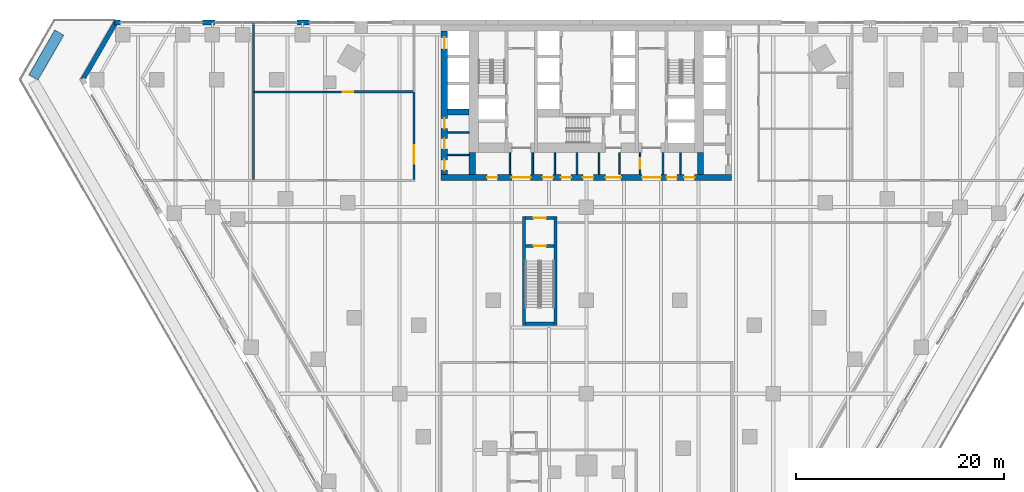
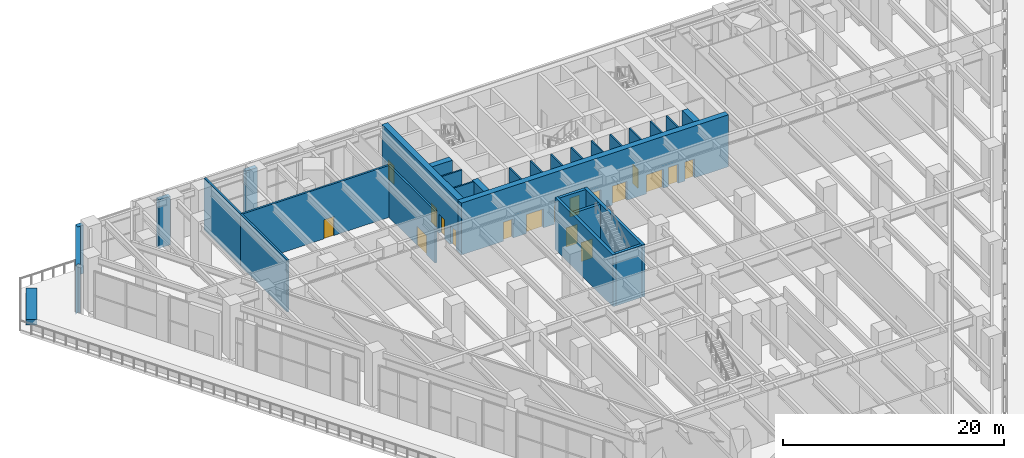
# One storey, part 31 of 40: 30 walls, 18 doors, 18 openings.
"""IFC4 building model written with IfcOpenShell, lengths in metres."""

from ifc_helpers import new_model, si_unit, direction, frame, frame_2d, origin, place, context, subcontext, project, spatial, polyline, rectangle, outline, extrude, material, layer, layer_set, type_object, element, fill, save


model = new_model("IFC4")

# Units and contexts
model_context = context("Model", 3, precision=1e-05, world=origin(), true_north=direction((0.0, 1.0)))
body_context = subcontext(model_context, "Body", "Model", "MODEL_VIEW")
ifc_project = project(units=[si_unit("LENGTHUNIT", "METRE"), si_unit("AREAUNIT", "SQUARE_METRE"), si_unit("VOLUMEUNIT", "CUBIC_METRE"), si_unit("PLANEANGLEUNIT", "RADIAN"), si_unit("MASSUNIT", "GRAM", prefix="KILO")], contexts=[model_context])

# Site, building, storey
site_placement = place(None, origin())
site = spatial("IfcSite", under=ifc_project, at=site_placement, CompositionType="ELEMENT")
building_placement = place(site_placement, origin())
building = spatial("IfcBuilding", under=site, at=building_placement, Name="Aloe Facet Convention Tower", CompositionType="ELEMENT")
storey_placement = place(building_placement, frame((0.0, 0.0, 13.5)))
storey = spatial("IfcBuildingStorey", under=building, at=storey_placement, Name="L02", CompositionType="ELEMENT", Elevation=13.5)

# Walls
ifc_material_1 = material(Name="Concrete blockwork partition", Category="masonry")
ifc_layer_1 = layer(ifc_material_1, 0.14990234375)
ifc_layer_set_1 = layer_set([ifc_layer_1], Name="CR-W-PART150")
wall_type_1 = type_object("IfcWallType", Name="CR-W-PART150", PredefinedType="PARTITIONING", material=ifc_layer_set_1)
for number, where, z_axis, x_axis, name in (
    (1, (66.60009765625, 124.16455078125, 0.0), (0.0, 0.0, 1.0), (1.0, 0.0, 0.0), "Core partition L02-007"),
    (2, (66.60009765625, 122.02490234375, 0.0), (0.0, 0.0, 1.0), (1.0, 0.0, 0.0), "Core partition L02-008"),
):
    element("IfcWall", number, at=place(storey_placement, frame(where, z_axis=z_axis, x_axis=x_axis)), inside=storey, type_object=wall_type_1, Name=name, PredefinedType="PARTITIONING", context=body_context, shape_type="SweptSolid", body=[
        extrude(rectangle(XDim=2.099853515625, YDim=0.14990234375, at=frame_2d((1.0498046875, 0.0))), origin(), (0.0, 0.0, 1.0), 5.75),
    ])
for number, where, z_axis, x_axis, name in (
    (3, (72.625, 122.25, 0.0), (0.0, 0.0, 1.0), (0.0, -1.0, 0.0), "Core partition L02-017"),
    (4, (74.824951171875, 122.25, 0.0), (0.0, 0.0, 1.0), (0.0, -1.0, 0.0), "Core partition L02-018"),
    (5, (76.958251953125, 122.25, 0.0), (0.0, 0.0, 1.0), (0.0, -1.0, 0.0), "Core partition L02-024"),
    (6, (79.091552734375, 122.25, 0.0), (0.0, 0.0, 1.0), (0.0, -1.0, 0.0), "Core partition L02-027"),
    (7, (81.22509765625, 122.25, 0.0), (0.0, 0.0, 1.0), (0.0, -1.0, 0.0), "Core partition L02-028"),
    (8, (83.175048828125, 122.25, 0.0), (0.0, 0.0, 1.0), (0.0, -1.0, 0.0), "Core partition L02-035"),
):
    element("IfcWall", number, at=place(storey_placement, frame(where, z_axis=z_axis, x_axis=x_axis)), inside=storey, type_object=wall_type_1, Name=name, PredefinedType="PARTITIONING", context=body_context, shape_type="SweptSolid", body=[
        extrude(rectangle(XDim=2.10009765625, YDim=0.14990234375, at=frame_2d((1.050048828125, 0.0))), origin(), (0.0, 0.0, 1.0), 5.75),
    ])

# Wall, opening, door
wall_1_placement = place(storey_placement, frame((85.175048828125, 122.25, 0.0), z_axis=(0.0, 0.0, 1.0), x_axis=(0.0, -1.0, 0.0)))
wall_1 = element("IfcWall", 9, at=wall_1_placement, inside=storey, type_object=wall_type_1, Name="Core partition L02-041", PredefinedType="PARTITIONING", context=body_context, shape_type="SweptSolid", body=[
    extrude(rectangle(XDim=2.10009765625, YDim=0.14990234375, at=frame_2d((1.050048828125, 0.0))), origin(), (0.0, 0.0, 1.0), 5.75),
])
opening_1_placement = place(wall_1_placement, frame((0.550048828125, 0.0, 0.0)))
opening_1 = element("IfcOpeningElement", 10, at=opening_1_placement, cuts=wall_1, Name="Opening L02-CD27", PredefinedType="OPENING", context=body_context, shape_type="SweptSolid", body=[
    extrude(rectangle(XDim=1.0, YDim=2.10009765625, at=frame_2d((0.5, 1.050048828125))), frame((0.0, 0.0849609375, 0.0), z_axis=(0.0, -1.0, 0.0), x_axis=(1.0, 0.0, 0.0)), (0.0, 0.0, 1.0), 0.169921875),
])
ifc_material_2 = material(Name="Steel fire-resisting door set FD60", Category="steel")
door_type_1 = type_object("IfcDoorType", Name="CR-D-ROOM-1000-FD60-SRIGHT", OperationType="SINGLE_SWING_RIGHT", PredefinedType="DOOR", material=ifc_material_2)
door_1_placement = place(opening_1_placement, origin())
door_1 = element("IfcDoor", 11, at=door_1_placement, inside=storey, type_object=door_type_1, Name="Core door L02-CD27", OperationType="SINGLE_SWING_RIGHT", OverallHeight=2.10009765625, OverallWidth=1.0, PredefinedType="DOOR", context=body_context, shape_type="SweptSolid", body=[
    extrude(rectangle(XDim=1.0, YDim=2.10009765625, at=frame_2d((0.5, 1.050048828125))), frame((0.0, 0.02490234375, 0.0), z_axis=(0.0, -1.0, 0.0), x_axis=(1.0, 0.0, 0.0)), (0.0, 0.0, 1.0), 0.050048828125),
])
fill(opening_1, door_1)

# Walls
for number, where, z_axis, x_axis, name in (
    (12, (87.375, 122.25, 0.0), (0.0, 0.0, 1.0), (0.0, -1.0, 0.0), "Core partition L02-042"),
    (13, (89.074951171875, 122.25, 0.0), (0.0, 0.0, 1.0), (0.0, -1.0, 0.0), "Core partition L02-047"),
):
    element("IfcWall", number, at=place(storey_placement, frame(where, z_axis=z_axis, x_axis=x_axis)), inside=storey, type_object=wall_type_1, Name=name, PredefinedType="PARTITIONING", context=body_context, shape_type="SweptSolid", body=[
        extrude(rectangle(XDim=2.10009765625, YDim=0.14990234375, at=frame_2d((1.050048828125, 0.0))), origin(), (0.0, 0.0, 1.0), 5.75),
    ])
ifc_material_3 = material(Name="Concrete C50/60", Category="concrete")
ifc_layer_2 = layer(ifc_material_3, 0.300048828125)
ifc_layer_set_2 = layer_set([ifc_layer_2], Name="CR-W-RC300-C5060")
wall_type_2 = type_object("IfcWallType", Name="CR-W-RC300-C5060", PredefinedType="SOLIDWALL", material=ifc_layer_set_2)
for number, where, z_axis, x_axis, name in (
    (14, (73.97509765625, 105.60009765625, 0.0), (0.0, 0.0, 1.0), (0.0, 1.0, 0.0), "Exit stair wall L02-06"),
    (15, (77.02490234375, 105.60009765625, 0.0), (0.0, 0.0, 1.0), (0.0, 1.0, 0.0), "Exit stair wall L02-07"),
):
    element("IfcWall", number, at=place(storey_placement, frame(where, z_axis=z_axis, x_axis=x_axis)), inside=storey, type_object=wall_type_2, Name=name, PredefinedType="SOLIDWALL", context=body_context, shape_type="SweptSolid", body=[
        extrude(rectangle(XDim=10.5, YDim=0.300048828125, at=frame_2d((5.25, 0.0))), origin(), (0.0, 0.0, 1.0), 5.75),
    ])
wall_2_placement = place(storey_placement, frame((74.125, 105.75, 0.0), z_axis=(0.0, 0.0, 1.0), x_axis=(1.0, 0.0, 0.0)))
element("IfcWall", 16, at=wall_2_placement, inside=storey, type_object=wall_type_2, Name="Exit stair wall L02-08", PredefinedType="SOLIDWALL", context=body_context, shape_type="SweptSolid", body=[
    extrude(rectangle(XDim=2.75, YDim=0.300048828125, at=frame_2d((1.375, 0.0))), origin(), (0.0, 0.0, 1.0), 5.75),
])

# Wall, opening, door
wall_3_placement = place(storey_placement, frame((74.125, 113.25, 0.0), z_axis=(0.0, 0.0, 1.0), x_axis=(1.0, 0.0, 0.0)))
wall_3 = element("IfcWall", 17, at=wall_3_placement, inside=storey, type_object=wall_type_2, Name="Exit stair wall L02-09", PredefinedType="SOLIDWALL", context=body_context, shape_type="SweptSolid", body=[
    extrude(rectangle(XDim=2.75, YDim=0.300048828125, at=frame_2d((1.375, 0.0))), origin(), (0.0, 0.0, 1.0), 5.75),
])
opening_2_placement = place(wall_3_placement, frame((0.77490234375, 0.0, 0.0)))
opening_2 = element("IfcOpeningElement", 18, at=opening_2_placement, cuts=wall_3, Name="Opening L02-ST5-01", PredefinedType="OPENING", context=body_context, shape_type="SweptSolid", body=[
    extrude(rectangle(XDim=1.199951171875, YDim=2.10009765625, at=frame_2d((0.60009765625, 1.050048828125))), frame((0.0, 0.16015625, 0.0), z_axis=(0.0, -1.0, 0.0), x_axis=(1.0, 0.0, 0.0)), (0.0, 0.0, 1.0), 0.320068359375),
])
ifc_material_4 = material(Name="Steel fire-resisting door set FD120", Category="steel")
door_type_2 = type_object("IfcDoorType", Name="CR-D-STAIR-1200-FD120-SLEFT", OperationType="SINGLE_SWING_LEFT", PredefinedType="DOOR", material=ifc_material_4)
door_2_placement = place(opening_2_placement, origin())
door_2 = element("IfcDoor", 19, at=door_2_placement, inside=storey, type_object=door_type_2, Name="Stair door L02-ST5-01", OperationType="SINGLE_SWING_LEFT", OverallHeight=2.10009765625, OverallWidth=1.199951171875, PredefinedType="DOOR", context=body_context, shape_type="SweptSolid", body=[
    extrude(rectangle(XDim=1.199951171875, YDim=2.10009765625, at=frame_2d((0.60009765625, 1.050048828125))), frame((0.0, 0.02490234375, 0.0), z_axis=(0.0, -1.0, 0.0), x_axis=(1.0, 0.0, 0.0)), (0.0, 0.0, 1.0), 0.050048828125),
])
fill(opening_2, door_2)

wall_4_placement = place(storey_placement, frame((74.125, 115.949951171875, 0.0), z_axis=(0.0, 0.0, 1.0), x_axis=(1.0, 0.0, 0.0)))
wall_4 = element("IfcWall", 20, at=wall_4_placement, inside=storey, type_object=wall_type_2, Name="Exit stair wall L02-10", PredefinedType="SOLIDWALL", context=body_context, shape_type="SweptSolid", body=[
    extrude(rectangle(XDim=2.75, YDim=0.300048828125, at=frame_2d((1.375, 0.0))), origin(), (0.0, 0.0, 1.0), 5.75),
])
opening_3_placement = place(wall_4_placement, frame((0.77490234375, 0.0, 0.0)))
opening_3 = element("IfcOpeningElement", 21, at=opening_3_placement, cuts=wall_4, Name="Opening L02-ST5-02", PredefinedType="OPENING", context=body_context, shape_type="SweptSolid", body=[
    extrude(rectangle(XDim=1.199951171875, YDim=2.10009765625, at=frame_2d((0.60009765625, 1.050048828125))), frame((0.0, 0.16015625, 0.0), z_axis=(0.0, -1.0, 0.0), x_axis=(1.0, 0.0, 0.0)), (0.0, 0.0, 1.0), 0.320068359375),
])
ifc_material_5 = material(Name="Steel fire-resisting door set FD60", Category="steel")
door_type_3 = type_object("IfcDoorType", Name="CR-D-EXIT-1200-FD60-SRIGHT", OperationType="SINGLE_SWING_RIGHT", PredefinedType="DOOR", material=ifc_material_5)
door_3_placement = place(opening_3_placement, origin())
door_3 = element("IfcDoor", 22, at=door_3_placement, inside=storey, type_object=door_type_3, Name="Stair lobby door L02-ST5-02", OperationType="SINGLE_SWING_RIGHT", OverallHeight=2.10009765625, OverallWidth=1.199951171875, PredefinedType="DOOR", context=body_context, shape_type="SweptSolid", body=[
    extrude(rectangle(XDim=1.199951171875, YDim=2.10009765625, at=frame_2d((0.60009765625, 1.050048828125))), frame((0.0, 0.02490234375, 0.0), z_axis=(0.0, -1.0, 0.0), x_axis=(1.0, 0.0, 0.0)), (0.0, 0.0, 1.0), 0.050048828125),
])
fill(opening_3, door_3)

# Wall, openings, doors
ifc_material_6 = material(Name="Concrete C80/95", Category="concrete")
ifc_layer_3 = layer(ifc_material_6, 0.60009765625)
ifc_layer_set_3 = layer_set([ifc_layer_3], Name="CR-W-RC600-C8095")
wall_type_3 = type_object("IfcWallType", Name="CR-W-RC600-C8095", PredefinedType="SOLIDWALL", material=ifc_layer_set_3)
wall_5_placement = place(storey_placement, frame((66.300048828125, 133.949951171875, 0.0), z_axis=(0.0, 0.0, 1.0), x_axis=(0.0, -1.0, 0.0)))
wall_5 = element("IfcWall", 23, at=wall_5_placement, inside=storey, type_object=wall_type_3, Name="Core wall L02-002", PredefinedType="SOLIDWALL", context=body_context, shape_type="SweptSolid", body=[
    extrude(rectangle(XDim=13.800048828125, YDim=0.60009765625, at=frame_2d((6.89990234375, 0.0))), origin(), (0.0, 0.0, 1.0), 5.75),
])
opening_4_placement = place(wall_5_placement, frame((0.60009765625, 0.0, 0.0)))
opening_4 = element("IfcOpeningElement", 24, at=opening_4_placement, cuts=wall_5, Name="Opening LD-A7-L02", PredefinedType="OPENING", context=body_context, shape_type="SweptSolid", body=[
    extrude(rectangle(XDim=1.10009765625, YDim=2.10009765625, at=frame_2d((0.550048828125, 1.050048828125))), frame((0.0, 0.31005859375, 0.0), z_axis=(0.0, -1.0, 0.0), x_axis=(1.0, 0.0, 0.0)), (0.0, 0.0, 1.0), 0.6201171875),
])
opening_5_placement = place(wall_5_placement, frame((8.4052734375, 0.0, 0.0)))
opening_5 = element("IfcOpeningElement", 25, at=opening_5_placement, cuts=wall_5, Name="Opening L02-CD34", PredefinedType="OPENING", context=body_context, shape_type="SweptSolid", body=[
    extrude(rectangle(XDim=1.0, YDim=2.10009765625, at=frame_2d((0.5, 1.050048828125))), frame((0.0, 0.31005859375, 0.0), z_axis=(0.0, -1.0, 0.0), x_axis=(1.0, 0.0, 0.0)), (0.0, 0.0, 1.0), 0.6201171875),
])
opening_6_placement = place(wall_5_placement, frame((10.355224609375, 0.0, 0.0)))
opening_6 = element("IfcOpeningElement", 26, at=opening_6_placement, cuts=wall_5, Name="Opening L02-CD35", PredefinedType="OPENING", context=body_context, shape_type="SweptSolid", body=[
    extrude(rectangle(XDim=1.0, YDim=2.10009765625, at=frame_2d((0.5, 1.050048828125))), frame((0.0, 0.31005859375, 0.0), z_axis=(0.0, -1.0, 0.0), x_axis=(1.0, 0.0, 0.0)), (0.0, 0.0, 1.0), 0.6201171875),
])
opening_7_placement = place(wall_5_placement, frame((12.39990234375, 0.0, 0.0)))
opening_7 = element("IfcOpeningElement", 27, at=opening_7_placement, cuts=wall_5, Name="Opening L02-CD36", PredefinedType="OPENING", context=body_context, shape_type="SweptSolid", body=[
    extrude(rectangle(XDim=1.0, YDim=2.10009765625, at=frame_2d((0.5, 1.050048828125))), frame((0.0, 0.31005859375, 0.0), z_axis=(0.0, -1.0, 0.0), x_axis=(1.0, 0.0, 0.0)), (0.0, 0.0, 1.0), 0.6201171875),
])
ifc_material_7 = material(Name="Steel fire-resisting door set FD60", Category="steel")
door_type_4 = type_object("IfcDoorType", Name="CR-D-ROOM-1000-FD60-SLEFT", OperationType="SINGLE_SWING_LEFT", PredefinedType="DOOR", material=ifc_material_7)
door_4_placement = place(opening_5_placement, origin())
door_4 = element("IfcDoor", 28, at=door_4_placement, inside=storey, type_object=door_type_4, Name="Core door L02-CD34", OperationType="SINGLE_SWING_LEFT", OverallHeight=2.10009765625, OverallWidth=1.0, PredefinedType="DOOR", context=body_context, shape_type="SweptSolid", body=[
    extrude(rectangle(XDim=1.0, YDim=2.10009765625, at=frame_2d((0.5, 1.050048828125))), frame((0.0, 0.02490234375, 0.0), z_axis=(0.0, -1.0, 0.0), x_axis=(1.0, 0.0, 0.0)), (0.0, 0.0, 1.0), 0.050048828125),
])
fill(opening_5, door_4)
door_5_placement = place(opening_6_placement, origin())
door_5 = element("IfcDoor", 29, at=door_5_placement, inside=storey, type_object=door_type_4, Name="Core door L02-CD35", OperationType="SINGLE_SWING_LEFT", OverallHeight=2.10009765625, OverallWidth=1.0, PredefinedType="DOOR", context=body_context, shape_type="SweptSolid", body=[
    extrude(rectangle(XDim=1.0, YDim=2.10009765625, at=frame_2d((0.5, 1.050048828125))), frame((0.0, 0.02490234375, 0.0), z_axis=(0.0, -1.0, 0.0), x_axis=(1.0, 0.0, 0.0)), (0.0, 0.0, 1.0), 0.050048828125),
])
fill(opening_6, door_5)
door_6_placement = place(opening_7_placement, origin())
door_6 = element("IfcDoor", 30, at=door_6_placement, inside=storey, type_object=door_type_4, Name="Core door L02-CD36", OperationType="SINGLE_SWING_LEFT", OverallHeight=2.10009765625, OverallWidth=1.0, PredefinedType="DOOR", context=body_context, shape_type="SweptSolid", body=[
    extrude(rectangle(XDim=1.0, YDim=2.10009765625, at=frame_2d((0.5, 1.050048828125))), frame((0.0, 0.02490234375, 0.0), z_axis=(0.0, -1.0, 0.0), x_axis=(1.0, 0.0, 0.0)), (0.0, 0.0, 1.0), 0.050048828125),
])
fill(opening_7, door_6)
ifc_material_8 = material(Name="Stainless steel sliding landing door", Category="steel")
door_type_5 = type_object("IfcDoorType", Name="CR-LD-1100-FD60-_LEFT", OperationType="SLIDING_TO_LEFT", PredefinedType="DOOR", material=ifc_material_8)
door_7_placement = place(opening_4_placement, origin())
door_7 = element("IfcDoor", 31, at=door_7_placement, inside=storey, type_object=door_type_5, Name="Landing door A7 L02", OperationType="SLIDING_TO_LEFT", OverallHeight=2.10009765625, OverallWidth=1.10009765625, PredefinedType="DOOR", context=body_context, shape_type="SweptSolid", body=[
    extrude(rectangle(XDim=1.10009765625, YDim=2.10009765625, at=frame_2d((0.550048828125, 1.050048828125))), frame((0.0, 0.02490234375, 0.0), z_axis=(0.0, -1.0, 0.0), x_axis=(1.0, 0.0, 0.0)), (0.0, 0.0, 1.0), 0.050048828125),
])
fill(opening_4, door_7)

wall_6_placement = place(storey_placement, frame((66.0, 119.85009765625, 0.0), z_axis=(0.0, 0.0, 1.0), x_axis=(1.0, 0.0, 0.0)))
wall_6 = element("IfcWall", 32, at=wall_6_placement, inside=storey, type_object=wall_type_3, Name="Core wall L02-003", PredefinedType="SOLIDWALL", context=body_context, shape_type="SweptSolid", body=[
    extrude(rectangle(XDim=28.0, YDim=0.60009765625, at=frame_2d((14.0, 0.0))), origin(), (0.0, 0.0, 1.0), 5.75),
])
opening_8_placement = place(wall_6_placement, frame((6.824951171875, 0.0, 0.0)))
opening_8 = element("IfcOpeningElement", 33, at=opening_8_placement, cuts=wall_6, Name="Opening L02-CD16", PredefinedType="OPENING", context=body_context, shape_type="SweptSolid", body=[
    extrude(rectangle(XDim=1.800048828125, YDim=2.10009765625, at=frame_2d((0.89990234375, 1.050048828125))), frame((0.0, 0.31005859375, 0.0), z_axis=(0.0, -1.0, 0.0), x_axis=(1.0, 0.0, 0.0)), (0.0, 0.0, 1.0), 0.6201171875),
])
opening_9_placement = place(wall_6_placement, frame((15.85009765625, 0.0, 0.0)))
opening_9 = element("IfcOpeningElement", 34, at=opening_9_placement, cuts=wall_6, Name="Opening L02-CD17", PredefinedType="OPENING", context=body_context, shape_type="SweptSolid", body=[
    extrude(rectangle(XDim=1.5, YDim=2.10009765625, at=frame_2d((0.75, 1.050048828125))), frame((0.0, 0.31005859375, 0.0), z_axis=(0.0, -1.0, 0.0), x_axis=(1.0, 0.0, 0.0)), (0.0, 0.0, 1.0), 0.6201171875),
])
opening_10_placement = place(wall_6_placement, frame((19.375, 0.0, 0.0)))
opening_10 = element("IfcOpeningElement", 35, at=opening_10_placement, cuts=wall_6, Name="Opening L02-CD18", PredefinedType="OPENING", context=body_context, shape_type="SweptSolid", body=[
    extrude(rectangle(XDim=1.800048828125, YDim=2.10009765625, at=frame_2d((0.89990234375, 1.050048828125))), frame((0.0, 0.31005859375, 0.0), z_axis=(0.0, -1.0, 0.0), x_axis=(1.0, 0.0, 0.0)), (0.0, 0.0, 1.0), 0.6201171875),
])
opening_11_placement = place(wall_6_placement, frame((4.425048828125, 0.0, 0.0)))
opening_11 = element("IfcOpeningElement", 36, at=opening_11_placement, cuts=wall_6, Name="Opening L02-CD23", PredefinedType="OPENING", context=body_context, shape_type="SweptSolid", body=[
    extrude(rectangle(XDim=1.0, YDim=2.10009765625, at=frame_2d((0.5, 1.050048828125))), frame((0.0, 0.31005859375, 0.0), z_axis=(0.0, -1.0, 0.0), x_axis=(1.0, 0.0, 0.0)), (0.0, 0.0, 1.0), 0.6201171875),
])
opening_12_placement = place(wall_6_placement, frame((9.783203125, 0.0, 0.0)))
opening_12 = element("IfcOpeningElement", 37, at=opening_12_placement, cuts=wall_6, Name="Opening L02-CD24", PredefinedType="OPENING", context=body_context, shape_type="SweptSolid", body=[
    extrude(rectangle(XDim=1.0, YDim=2.10009765625, at=frame_2d((0.5, 1.050048828125))), frame((0.0, 0.31005859375, 0.0), z_axis=(0.0, -1.0, 0.0), x_axis=(1.0, 0.0, 0.0)), (0.0, 0.0, 1.0), 0.6201171875),
])
opening_13_placement = place(wall_6_placement, frame((11.52490234375, 0.0, 0.0)))
opening_13 = element("IfcOpeningElement", 38, at=opening_13_placement, cuts=wall_6, Name="Opening L02-CD25", PredefinedType="OPENING", context=body_context, shape_type="SweptSolid", body=[
    extrude(rectangle(XDim=1.0, YDim=2.10009765625, at=frame_2d((0.5, 1.050048828125))), frame((0.0, 0.31005859375, 0.0), z_axis=(0.0, -1.0, 0.0), x_axis=(1.0, 0.0, 0.0)), (0.0, 0.0, 1.0), 0.6201171875),
])
opening_14_placement = place(wall_6_placement, frame((13.658203125, 0.0, 0.0)))
opening_14 = element("IfcOpeningElement", 39, at=opening_14_placement, cuts=wall_6, Name="Opening L02-CD26", PredefinedType="OPENING", context=body_context, shape_type="SweptSolid", body=[
    extrude(rectangle(XDim=1.0, YDim=2.10009765625, at=frame_2d((0.5, 1.050048828125))), frame((0.0, 0.31005859375, 0.0), z_axis=(0.0, -1.0, 0.0), x_axis=(1.0, 0.0, 0.0)), (0.0, 0.0, 1.0), 0.6201171875),
])
opening_15_placement = place(wall_6_placement, frame((21.72509765625, 0.0, 0.0)))
opening_15 = element("IfcOpeningElement", 40, at=opening_15_placement, cuts=wall_6, Name="Opening L02-CD28", PredefinedType="OPENING", context=body_context, shape_type="SweptSolid", body=[
    extrude(rectangle(XDim=1.0, YDim=2.10009765625, at=frame_2d((0.5, 1.050048828125))), frame((0.0, 0.31005859375, 0.0), z_axis=(0.0, -1.0, 0.0), x_axis=(1.0, 0.0, 0.0)), (0.0, 0.0, 1.0), 0.6201171875),
])
opening_16_placement = place(wall_6_placement, frame((23.425048828125, 0.0, 0.0)))
opening_16 = element("IfcOpeningElement", 41, at=opening_16_placement, cuts=wall_6, Name="Opening L02-CD29", PredefinedType="OPENING", context=body_context, shape_type="SweptSolid", body=[
    extrude(rectangle(XDim=1.0, YDim=2.10009765625, at=frame_2d((0.5, 1.050048828125))), frame((0.0, 0.31005859375, 0.0), z_axis=(0.0, -1.0, 0.0), x_axis=(1.0, 0.0, 0.0)), (0.0, 0.0, 1.0), 0.6201171875),
])
ifc_material_9 = material(Name="Steel fire-resisting door set FD60", Category="steel")
door_type_6 = type_object("IfcDoorType", Name="CR-D-EXIT-1500-FD60-DD", OperationType="DOUBLE_DOOR_DOUBLE_SWING", PredefinedType="DOOR", material=ifc_material_9)
door_8_placement = place(opening_9_placement, origin())
door_8 = element("IfcDoor", 42, at=door_8_placement, inside=storey, type_object=door_type_6, Name="Core door L02-CD17", OperationType="DOUBLE_DOOR_DOUBLE_SWING", OverallHeight=2.10009765625, OverallWidth=1.5, PredefinedType="DOOR", context=body_context, shape_type="SweptSolid", body=[
    extrude(rectangle(XDim=1.5, YDim=2.10009765625, at=frame_2d((0.75, 1.050048828125))), frame((0.0, 0.02490234375, 0.0), z_axis=(0.0, -1.0, 0.0), x_axis=(1.0, 0.0, 0.0)), (0.0, 0.0, 1.0), 0.050048828125),
])
fill(opening_9, door_8)
ifc_material_10 = material(Name="Steel fire-resisting door set FD60", Category="steel")
door_type_7 = type_object("IfcDoorType", Name="CR-D-EXIT-1800-FD60-DD", OperationType="DOUBLE_DOOR_DOUBLE_SWING", PredefinedType="DOOR", material=ifc_material_10)
door_9_placement = place(opening_8_placement, origin())
door_9 = element("IfcDoor", 43, at=door_9_placement, inside=storey, type_object=door_type_7, Name="Core door L02-CD16", OperationType="DOUBLE_DOOR_DOUBLE_SWING", OverallHeight=2.10009765625, OverallWidth=1.800048828125, PredefinedType="DOOR", context=body_context, shape_type="SweptSolid", body=[
    extrude(rectangle(XDim=1.800048828125, YDim=2.10009765625, at=frame_2d((0.89990234375, 1.050048828125))), frame((0.0, 0.02490234375, 0.0), z_axis=(0.0, -1.0, 0.0), x_axis=(1.0, 0.0, 0.0)), (0.0, 0.0, 1.0), 0.050048828125),
])
fill(opening_8, door_9)
door_10_placement = place(opening_10_placement, origin())
door_10 = element("IfcDoor", 44, at=door_10_placement, inside=storey, type_object=door_type_7, Name="Core door L02-CD18", OperationType="DOUBLE_DOOR_DOUBLE_SWING", OverallHeight=2.10009765625, OverallWidth=1.800048828125, PredefinedType="DOOR", context=body_context, shape_type="SweptSolid", body=[
    extrude(rectangle(XDim=1.800048828125, YDim=2.10009765625, at=frame_2d((0.89990234375, 1.050048828125))), frame((0.0, 0.02490234375, 0.0), z_axis=(0.0, -1.0, 0.0), x_axis=(1.0, 0.0, 0.0)), (0.0, 0.0, 1.0), 0.050048828125),
])
fill(opening_10, door_10)
door_11_placement = place(opening_11_placement, origin())
door_11 = element("IfcDoor", 45, at=door_11_placement, inside=storey, type_object=door_type_1, Name="Core door L02-CD23", OperationType="SINGLE_SWING_RIGHT", OverallHeight=2.10009765625, OverallWidth=1.0, PredefinedType="DOOR", context=body_context, shape_type="SweptSolid", body=[
    extrude(rectangle(XDim=1.0, YDim=2.10009765625, at=frame_2d((0.5, 1.050048828125))), frame((0.0, 0.02490234375, 0.0), z_axis=(0.0, -1.0, 0.0), x_axis=(1.0, 0.0, 0.0)), (0.0, 0.0, 1.0), 0.050048828125),
])
fill(opening_11, door_11)
door_12_placement = place(opening_12_placement, origin())
door_12 = element("IfcDoor", 46, at=door_12_placement, inside=storey, type_object=door_type_1, Name="Core door L02-CD24", OperationType="SINGLE_SWING_RIGHT", OverallHeight=2.10009765625, OverallWidth=1.0, PredefinedType="DOOR", context=body_context, shape_type="SweptSolid", body=[
    extrude(rectangle(XDim=1.0, YDim=2.10009765625, at=frame_2d((0.5, 1.050048828125))), frame((0.0, 0.02490234375, 0.0), z_axis=(0.0, -1.0, 0.0), x_axis=(1.0, 0.0, 0.0)), (0.0, 0.0, 1.0), 0.050048828125),
])
fill(opening_12, door_12)
door_13_placement = place(opening_13_placement, origin())
door_13 = element("IfcDoor", 47, at=door_13_placement, inside=storey, type_object=door_type_1, Name="Core door L02-CD25", OperationType="SINGLE_SWING_RIGHT", OverallHeight=2.10009765625, OverallWidth=1.0, PredefinedType="DOOR", context=body_context, shape_type="SweptSolid", body=[
    extrude(rectangle(XDim=1.0, YDim=2.10009765625, at=frame_2d((0.5, 1.050048828125))), frame((0.0, 0.02490234375, 0.0), z_axis=(0.0, -1.0, 0.0), x_axis=(1.0, 0.0, 0.0)), (0.0, 0.0, 1.0), 0.050048828125),
])
fill(opening_13, door_13)
door_14_placement = place(opening_14_placement, origin())
door_14 = element("IfcDoor", 48, at=door_14_placement, inside=storey, type_object=door_type_1, Name="Core door L02-CD26", OperationType="SINGLE_SWING_RIGHT", OverallHeight=2.10009765625, OverallWidth=1.0, PredefinedType="DOOR", context=body_context, shape_type="SweptSolid", body=[
    extrude(rectangle(XDim=1.0, YDim=2.10009765625, at=frame_2d((0.5, 1.050048828125))), frame((0.0, 0.02490234375, 0.0), z_axis=(0.0, -1.0, 0.0), x_axis=(1.0, 0.0, 0.0)), (0.0, 0.0, 1.0), 0.050048828125),
])
fill(opening_14, door_14)
door_15_placement = place(opening_15_placement, origin())
door_15 = element("IfcDoor", 49, at=door_15_placement, inside=storey, type_object=door_type_1, Name="Core door L02-CD28", OperationType="SINGLE_SWING_RIGHT", OverallHeight=2.10009765625, OverallWidth=1.0, PredefinedType="DOOR", context=body_context, shape_type="SweptSolid", body=[
    extrude(rectangle(XDim=1.0, YDim=2.10009765625, at=frame_2d((0.5, 1.050048828125))), frame((0.0, 0.02490234375, 0.0), z_axis=(0.0, -1.0, 0.0), x_axis=(1.0, 0.0, 0.0)), (0.0, 0.0, 1.0), 0.050048828125),
])
fill(opening_15, door_15)
door_16_placement = place(opening_16_placement, origin())
door_16 = element("IfcDoor", 50, at=door_16_placement, inside=storey, type_object=door_type_1, Name="Core door L02-CD29", OperationType="SINGLE_SWING_RIGHT", OverallHeight=2.10009765625, OverallWidth=1.0, PredefinedType="DOOR", context=body_context, shape_type="SweptSolid", body=[
    extrude(rectangle(XDim=1.0, YDim=2.10009765625, at=frame_2d((0.5, 1.050048828125))), frame((0.0, 0.02490234375, 0.0), z_axis=(0.0, -1.0, 0.0), x_axis=(1.0, 0.0, 0.0)), (0.0, 0.0, 1.0), 0.050048828125),
])
fill(opening_16, door_16)

# Walls
wall_7_placement = place(storey_placement, frame((66.60009765625, 126.14990234375, 0.0), z_axis=(0.0, 0.0, 1.0), x_axis=(1.0, 0.0, 0.0)))
element("IfcWall", 51, at=wall_7_placement, inside=storey, type_object=wall_type_3, Name="Core wall L02-006", PredefinedType="SOLIDWALL", context=body_context, shape_type="SweptSolid", body=[
    extrude(rectangle(XDim=2.099853515625, YDim=0.60009765625, at=frame_2d((1.0498046875, 0.0))), origin(), (0.0, 0.0, 1.0), 5.75),
])
for number, where, z_axis, x_axis, name in (
    (52, (69.0, 122.25, 0.0), (0.0, 0.0, 1.0), (0.0, -1.0, 0.0), "Core wall L02-010"),
    (53, (91.0, 122.25, 0.0), (0.0, 0.0, 1.0), (0.0, -1.0, 0.0), "Core wall L02-049"),
):
    element("IfcWall", number, at=place(storey_placement, frame(where, z_axis=z_axis, x_axis=x_axis)), inside=storey, type_object=wall_type_3, Name=name, PredefinedType="SOLIDWALL", context=body_context, shape_type="SweptSolid", body=[
        extrude(rectangle(XDim=2.10009765625, YDim=0.60009765625, at=frame_2d((1.050048828125, 0.0))), origin(), (0.0, 0.0, 1.0), 5.75),
    ])
ifc_material_11 = material(Name="Precast concrete C40/50", Category="concrete")
ifc_layer_4 = layer(ifc_material_11, 1.0)
ifc_layer_set_4 = layer_set([ifc_layer_4], Name="EV-PLANTER-BED")
wall_type_4 = type_object("IfcWallType", Name="EV-PLANTER-BED", PredefinedType="STANDARD", material=ifc_layer_set_4)
wall_8_placement = place(storey_placement, frame((26.698486328125, 129.47705078125, 0.0), z_axis=(0.0, 0.0, 1.0), x_axis=(0.500004234368, 0.866022959057, 0.0)))
element("IfcWall", 54, at=wall_8_placement, inside=storey, type_object=wall_type_4, Name="PLANTER PT-L02-1-5", PredefinedType="STANDARD", context=body_context, shape_type="SweptSolid", body=[
    extrude(rectangle(XDim=5.0, YDim=1.0, at=frame_2d((2.5, 0.0))), origin(), (0.0, 0.0, 1.0), 0.60009765625),
])
ifc_material_12 = material(Name="Precast concrete C40/50", Category="concrete")
ifc_layer_5 = layer(ifc_material_12, 0.449951171875)
ifc_layer_set_5 = layer_set([ifc_layer_5], Name="EV-WALL-PIER")
wall_type_5 = type_object("IfcWallType", Name="EV-WALL-PIER", PredefinedType="SOLIDWALL", material=ifc_layer_set_5)
wall_9_placement = place(storey_placement, frame((0.0, 0.0, -0.300048828125)))
element("IfcWall", 55, at=wall_9_placement, inside=storey, type_object=wall_type_5, Name="EP-L02-A", PredefinedType="SOLIDWALL", context=body_context, shape_type="SweptSolid", body=[
    extrude(outline(polyline([(34.506103515625, 135.0), (34.506103515625, 134.550048828125), (34.765869140625, 134.550048828125), (31.7255859375, 129.2841796875), (31.595703125, 129.50927734375), (31.2060546875, 129.2841796875), (34.506103515625, 135.0)])), origin(), (0.0, 0.0, 1.0), 5.362548828125),
])
ifc_material_13 = material(Name="Precast concrete C40/50", Category="concrete")
ifc_layer_6 = layer(ifc_material_13, 0.449951171875)
ifc_layer_set_6 = layer_set([ifc_layer_6], Name="EV-WALL-STONE")
wall_type_6 = type_object("IfcWallType", Name="EV-WALL-STONE", PredefinedType="SOLIDWALL", material=ifc_layer_set_6)
wall_10_placement = place(storey_placement, frame((53.3037109375, 134.77490234375, -0.300048828125), z_axis=(0.0, 0.0, 1.0), x_axis=(-1.0, 0.0, 0.0)))
element("IfcWall", 56, at=wall_10_placement, inside=storey, type_object=wall_type_6, Name="PW-L02-N17", PredefinedType="SOLIDWALL", context=body_context, shape_type="SweptSolid", body=[
    extrude(rectangle(XDim=1.2001953125, YDim=0.449951171875, at=frame_2d((0.60009765625, 0.0))), origin(), (0.0, 0.0, 1.0), 5.362548828125),
])
wall_11_placement = place(storey_placement, frame((44.204833984375, 134.77490234375, -0.300048828125), z_axis=(0.0, 0.0, 1.0), x_axis=(-1.0, 0.0, 0.0)))
element("IfcWall", 57, at=wall_11_placement, inside=storey, type_object=wall_type_6, Name="PW-L02-N19", PredefinedType="SOLIDWALL", context=body_context, shape_type="SweptSolid", body=[
    extrude(rectangle(XDim=1.199951171875, YDim=0.449951171875, at=frame_2d((0.60009765625, 0.0))), origin(), (0.0, 0.0, 1.0), 5.362548828125),
])
wall_12_placement = place(storey_placement, frame((35.10595703125, 134.77490234375, -0.300048828125), z_axis=(0.0, 0.0, 1.0), x_axis=(-1.0, 0.0, 0.0)))
element("IfcWall", 58, at=wall_12_placement, inside=storey, type_object=wall_type_6, Name="PW-L02-N21", PredefinedType="SOLIDWALL", context=body_context, shape_type="SweptSolid", body=[
    extrude(rectangle(XDim=0.599853515625, YDim=0.449951171875, at=frame_2d((0.2998046875, 0.0))), origin(), (0.0, 0.0, 1.0), 5.362548828125),
])
ifc_material_14 = material(Name="Masonry blockwork wall, plastered", Category="masonry")
ifc_layer_7 = layer(ifc_material_14, 0.199951171875)
ifc_layer_set_7 = layer_set([ifc_layer_7], Name="IN-POD-W-ASSY")
wall_type_7 = type_object("IfcWallType", Name="IN-POD-W-ASSY", PredefinedType="PARTITIONING", material=ifc_layer_set_7)
wall_13_placement = place(storey_placement, frame((47.909912109375, 119.635009765625, 0.0), z_axis=(0.0, 0.0, 1.0), x_axis=(-0.001182475452, 0.999999300876, 0.0)))
element("IfcWall", 59, at=wall_13_placement, inside=storey, type_object=wall_type_7, Name="Partition L02-W027", PredefinedType="PARTITIONING", context=body_context, shape_type="SweptSolid", body=[
    extrude(rectangle(XDim=8.465087890625, YDim=0.199951171875, at=frame_2d((4.232421875, 0.0))), origin(), (0.0, 0.0, 1.0), 5.75),
])

# Wall, opening, door
wall_14_placement = place(storey_placement, frame((63.3994140625, 119.635009765625, 0.0), z_axis=(0.0, 0.0, 1.0), x_axis=(5.7613643e-05, 0.99999999834, 0.0)))
wall_14 = element("IfcWall", 60, at=wall_14_placement, inside=storey, type_object=wall_type_7, Name="Partition L02-W028", PredefinedType="PARTITIONING", context=body_context, shape_type="SweptSolid", body=[
    extrude(rectangle(XDim=8.47509765625, YDim=0.199951171875, at=frame_2d((4.237548828125, 0.0))), origin(), (0.0, 0.0, 1.0), 5.75),
])
opening_17_placement = place(wall_14_placement, frame((1.514892578125, 0.0, 0.0)))
opening_17 = element("IfcOpeningElement", 61, at=opening_17_placement, cuts=wall_14, Name="Opening L02-009", PredefinedType="OPENING", context=body_context, shape_type="SweptSolid", body=[
    extrude(rectangle(XDim=1.800048828125, YDim=2.10009765625, at=frame_2d((0.89990234375, 1.050048828125))), frame((0.0, 0.10986328125, 0.0), z_axis=(0.0, -1.0, 0.0), x_axis=(1.0, 0.0, 0.0)), (0.0, 0.0, 1.0), 0.219970703125),
])
ifc_material_15 = material(Name="Hardwood flush door pair", Category="wood")
door_type_8 = type_object("IfcDoorType", Name="IN-POD-D-PAIR", OperationType="DOUBLE_DOOR_SINGLE_SWING", PredefinedType="DOOR", material=ifc_material_15)
door_17_placement = place(opening_17_placement, origin())
door_17 = element("IfcDoor", 62, at=door_17_placement, inside=storey, type_object=door_type_8, Name="Door L02-009", OperationType="SINGLE_SWING_LEFT", OverallHeight=2.10009765625, OverallWidth=1.800048828125, PredefinedType="DOOR", context=body_context, shape_type="SweptSolid", body=[
    extrude(rectangle(XDim=1.800048828125, YDim=2.10009765625, at=frame_2d((0.89990234375, 1.050048828125))), frame((0.0, 0.02490234375, 0.0), z_axis=(0.0, -1.0, 0.0), x_axis=(1.0, 0.0, 0.0)), (0.0, 0.0, 1.0), 0.050048828125),
])
fill(opening_17, door_17)

# Wall
wall_15_placement = place(storey_placement, frame((47.89990234375, 128.10009765625, 0.0), z_axis=(0.0, 0.0, 1.0), x_axis=(0.0, 1.0, 0.0)))
element("IfcWall", 63, at=wall_15_placement, inside=storey, type_object=wall_type_7, Name="Partition L02-W036", PredefinedType="PARTITIONING", context=body_context, shape_type="SweptSolid", body=[
    extrude(rectangle(XDim=6.574951171875, YDim=0.199951171875, at=frame_2d((3.28759765625, 0.0))), origin(), (0.0, 0.0, 1.0), 5.75),
])

# Wall, opening, door
wall_16_placement = place(storey_placement, frame((48.0, 128.10009765625, 0.0), z_axis=(0.0, 0.0, 1.0), x_axis=(0.999999796699, 0.000637653306, 0.0)))
wall_16 = element("IfcWall", 64, at=wall_16_placement, inside=storey, type_object=wall_type_7, Name="Partition L02-W037", PredefinedType="PARTITIONING", context=body_context, shape_type="SweptSolid", body=[
    extrude(rectangle(XDim=15.31494140625, YDim=0.199951171875, at=frame_2d((7.657470703125, 0.0))), origin(), (0.0, 0.0, 1.0), 5.75),
])
opening_18_placement = place(wall_16_placement, frame((8.529052734375, 0.0, 0.0)))
opening_18 = element("IfcOpeningElement", 65, at=opening_18_placement, cuts=wall_16, Name="Opening L02-010", PredefinedType="OPENING", context=body_context, shape_type="SweptSolid", body=[
    extrude(rectangle(XDim=1.0, YDim=2.10009765625, at=frame_2d((0.5, 1.050048828125))), frame((0.0, 0.10986328125, 0.0), z_axis=(0.0, -1.0, 0.0), x_axis=(1.0, 0.0, 0.0)), (0.0, 0.0, 1.0), 0.219970703125),
])
ifc_material_16 = material(Name="Hardwood flush door", Category="wood")
door_type_9 = type_object("IfcDoorType", Name="IN-POD-D-WIDE", OperationType="SINGLE_SWING_LEFT", PredefinedType="DOOR", material=ifc_material_16)
door_18_placement = place(opening_18_placement, origin())
door_18 = element("IfcDoor", 66, at=door_18_placement, inside=storey, type_object=door_type_9, Name="Door L02-010", OperationType="SINGLE_SWING_LEFT", OverallHeight=2.10009765625, OverallWidth=1.0, PredefinedType="DOOR", context=body_context, shape_type="SweptSolid", body=[
    extrude(rectangle(XDim=1.0, YDim=2.10009765625, at=frame_2d((0.5, 1.050048828125))), frame((0.0, 0.02490234375, 0.0), z_axis=(0.0, -1.0, 0.0), x_axis=(1.0, 0.0, 0.0)), (0.0, 0.0, 1.0), 0.050048828125),
])
fill(opening_18, door_18)

save(model, "model.ifc")
